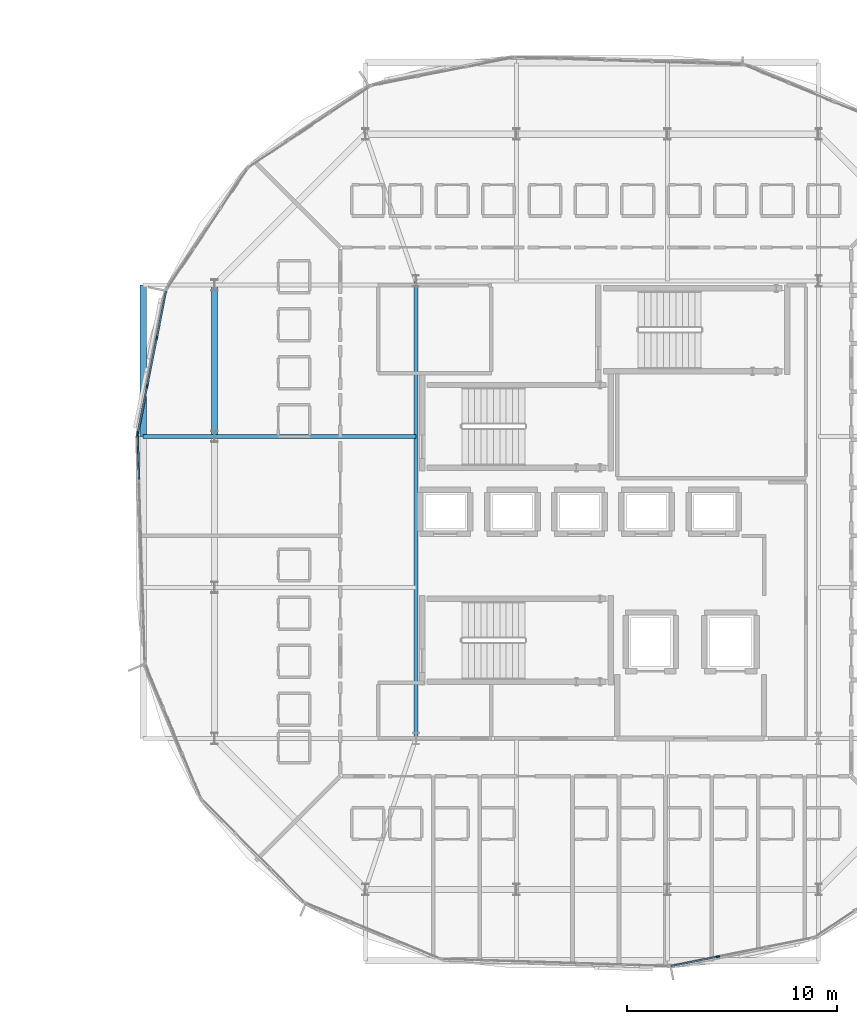
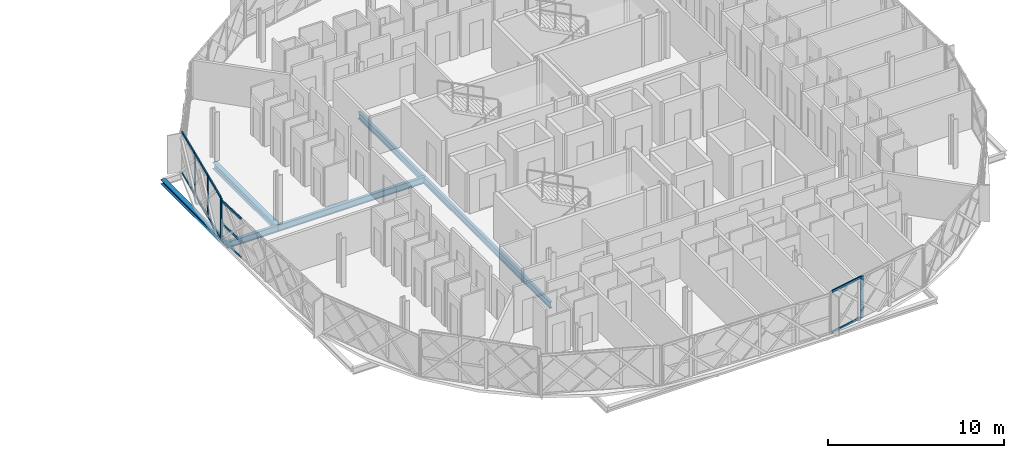
# One storey, part 8 of 50: 16 members, 5 beams, 3 elements without a shape of their own.
"""IFC4 building model written with IfcOpenShell, lengths in metres."""

from ifc_helpers import new_model, si_unit, direction, frame, origin, origin_2d, place, context, subcontext, project, spatial, rectangle, i_section, extrude, material, layer, layer_set, material_profile, profile_set, type_object, element, aggregate, save


model = new_model("IFC4")

# Units and contexts
model_context = context("Model", 3, precision=1e-05, world=origin(), true_north=direction((0.0, 1.0)))
body_context = subcontext(model_context, "Body", "Model", "MODEL_VIEW")
ifc_project = project(units=[si_unit("LENGTHUNIT", "METRE"), si_unit("AREAUNIT", "SQUARE_METRE"), si_unit("VOLUMEUNIT", "CUBIC_METRE"), si_unit("PLANEANGLEUNIT", "RADIAN"), si_unit("MASSUNIT", "GRAM", prefix="KILO")], contexts=[model_context])

# Site, building, storey
site_placement = place(None, origin())
site = spatial("IfcSite", under=ifc_project, at=site_placement, CompositionType="ELEMENT")
building_placement = place(site_placement, origin())
building = spatial("IfcBuilding", under=site, at=building_placement, Name="Zevrakil Square Congress Hotel", CompositionType="ELEMENT")
storey_placement = place(building_placement, frame((0.0, 0.0, 21.5)))
storey = spatial("IfcBuildingStorey", under=building, at=storey_placement, Name="L06", CompositionType="ELEMENT", Elevation=21.5)

# Beams
ifc_material_1 = material(Name="Steel S355", Category="steel")
ifc_material_profile_1 = material_profile(ifc_material_1, i_section(OverallWidth=0.300048828125, OverallDepth=0.43994140625, WebThickness=0.011474609375, FlangeThickness=0.02099609375, FilletRadius=0.027099609375, at=origin_2d()), Name="HEA 450")
ifc_profile_set_1 = profile_set([ifc_material_profile_1], Name="Steel S355")
beam_type_1 = type_object("IfcBeamType", Name="BM-HEA450", PredefinedType="BEAM", material=ifc_profile_set_1)
beam_1_placement = place(storey_placement, frame((127.199951171875, 38.39990234375, -0.409912109375), z_axis=(0.0, -1.0, 0.0), x_axis=(1.0, 0.0, 0.0)))
element("IfcBeam", 1, at=beam_1_placement, inside=storey, type_object=beam_type_1, Name="L06 drum ring girder DRB-13", PredefinedType="BEAM", context=body_context, shape_type="SweptSolid", body=[
    extrude(i_section(OverallWidth=0.300048828125, OverallDepth=0.43994140625, WebThickness=0.011474609375, FlangeThickness=0.02099609375, FilletRadius=0.027099609375, at=origin_2d()), origin(), (0.0, 0.0, 1.0), 7.199951171875),
])
ifc_material_2 = material(Name="Steel S355", Category="steel")
ifc_material_profile_2 = material_profile(ifc_material_2, i_section(OverallWidth=0.18994140625, OverallDepth=0.449951171875, WebThickness=0.009521484375, FlangeThickness=0.0146484375, FilletRadius=0.02099609375, at=origin_2d()), Name="IPE 450")
ifc_profile_set_2 = profile_set([ifc_material_profile_2], Name="Steel S355")
beam_type_2 = type_object("IfcBeamType", Name="BM-IPE450", PredefinedType="BEAM", material=ifc_profile_set_2)
beam_2_placement = place(storey_placement, frame((136.800048828125, 38.60009765625, -0.4150390625), z_axis=(0.0, -1.0, 0.0), x_axis=(1.0, 0.0, 0.0)))
element("IfcBeam", 2, at=beam_2_placement, inside=storey, type_object=beam_type_2, Name="L06 drum core perimeter tie beam DCB-04", PredefinedType="BEAM", context=body_context, shape_type="SweptSolid", body=[
    extrude(i_section(OverallWidth=0.18994140625, OverallDepth=0.449951171875, WebThickness=0.009521484375, FlangeThickness=0.0146484375, FilletRadius=0.02099609375, at=origin_2d()), origin(), (0.0, 0.0, 1.0), 21.800048828125),
])
beam_3_placement = place(storey_placement, frame((136.800048828125, 31.199951171875, -0.4150390625), z_axis=(-1.0, 0.0, 0.0), x_axis=(0.0, -1.0, 0.0)))
element("IfcBeam", 3, at=beam_3_placement, inside=storey, type_object=beam_type_2, Name="L06 drum radial floor beam DRI-14", PredefinedType="BEAM", context=body_context, shape_type="SweptSolid", body=[
    extrude(i_section(OverallWidth=0.18994140625, OverallDepth=0.449951171875, WebThickness=0.009521484375, FlangeThickness=0.0146484375, FilletRadius=0.02099609375, at=origin_2d()), origin(), (0.0, 0.0, 1.0), 9.60009765625),
])
beam_4_placement = place(storey_placement, frame((127.199951171875, 31.199951171875, -0.4150390625), z_axis=(-1.0, 0.0, 0.0), x_axis=(0.0, -1.0, 0.0)))
element("IfcBeam", 4, at=beam_4_placement, inside=storey, type_object=beam_type_2, Name="L06 drum radial edge cantilever beam DRO-14", PredefinedType="BEAM", context=body_context, shape_type="SweptSolid", body=[
    extrude(i_section(OverallWidth=0.18994140625, OverallDepth=0.449951171875, WebThickness=0.009521484375, FlangeThickness=0.0146484375, FilletRadius=0.02099609375, at=origin_2d()), origin(), (0.0, 0.0, 1.0), 3.39990234375),
])

# Curtain wall, members
ifc_material_3 = material(Name="Aluminium Anodised Bronze", Category="aluminium")
ifc_layer_1 = layer(ifc_material_3, 0.179931640625)
ifc_layer_set_1 = layer_set([ifc_layer_1], Name="Aluminium Anodised Bronze")
curtain_wall_type_1 = type_object("IfcCurtainWallType", Name="CW-L06-720", PredefinedType="USERDEFINED", material=ifc_layer_set_1)
curtain_wall_1_placement = place(storey_placement, origin())
curtain_wall_1 = element("IfcCurtainWall", 5, at=curtain_wall_1_placement, inside=storey, type_object=curtain_wall_type_1, Name="L06 diamond curtain wall CW-L06-0201", ObjectType="GLAZED CURTAIN WALL", PredefinedType="USERDEFINED")
ifc_material_4 = material(Name="Aluminium Anodised Bronze", Category="aluminium")
ifc_material_profile_3 = material_profile(ifc_material_4, rectangle(XDim=0.074951171875, YDim=0.14990234375, at=origin_2d()), Name="ALU 75x150")
ifc_profile_set_3 = profile_set([ifc_material_profile_3], Name="Aluminium Anodised Bronze")
member_type_1 = type_object("IfcMemberType", Name="CWM-ALU75x150", PredefinedType="USERDEFINED", material=ifc_profile_set_3)
member_1_placement = place(storey_placement, frame((148.9638671875, 5.95166015625, 0.030029296875), z_axis=(0.98078922397, 0.195070495322, 0.0), x_axis=(-0.195070495322, 0.98078922397, 0.0)))
member_1 = element("IfcMember", 6, at=member_1_placement, type_object=member_type_1, Name="CW-70 transom 1.1", ObjectType="TRANSOM", PredefinedType="USERDEFINED", context=body_context, shape_type="SweptSolid", body=[
    extrude(rectangle(XDim=0.074951171875, YDim=0.14990234375, at=origin_2d()), origin(), (0.0, 0.0, 1.0), 2.245361328125),
])
member_2_placement = place(storey_placement, frame((148.9638671875, 5.95166015625, 2.85009765625), z_axis=(0.98078922397, 0.195070495322, 0.0), x_axis=(-0.195070495322, 0.98078922397, 0.0)))
member_2 = element("IfcMember", 7, at=member_2_placement, type_object=member_type_1, Name="CW-70 transom 1.2", ObjectType="TRANSOM", PredefinedType="USERDEFINED", context=body_context, shape_type="SweptSolid", body=[
    extrude(rectangle(XDim=0.074951171875, YDim=0.14990234375, at=origin_2d()), origin(), (0.0, 0.0, 1.0), 2.245361328125),
])

curtain_wall_2_placement = place(storey_placement, origin())
curtain_wall_2 = element("IfcCurtainWall", 8, at=curtain_wall_2_placement, inside=storey, type_object=curtain_wall_type_1, Name="L06 diamond curtain wall CW-L06-0213", ObjectType="GLAZED CURTAIN WALL", PredefinedType="USERDEFINED")
member_3_placement = place(storey_placement, frame((124.89501953125, 38.1171875, 0.030029296875), z_axis=(-0.195070495322, -0.98078922397, 0.0), x_axis=(0.98078922397, -0.195070495322, 0.0)))
member_3 = element("IfcMember", 9, at=member_3_placement, type_object=member_type_1, Name="CW-70 transom 1.1", ObjectType="TRANSOM", PredefinedType="USERDEFINED", context=body_context, shape_type="SweptSolid", body=[
    extrude(rectangle(XDim=0.074951171875, YDim=0.14990234375, at=origin_2d()), origin(), (0.0, 0.0, 1.0), 2.245361328125),
])
member_4_placement = place(storey_placement, frame((124.89501953125, 38.1171875, 2.85009765625), z_axis=(-0.195070495322, -0.98078922397, 0.0), x_axis=(0.98078922397, -0.195070495322, 0.0)))
member_4 = element("IfcMember", 10, at=member_4_placement, type_object=member_type_1, Name="CW-70 transom 1.2", ObjectType="TRANSOM", PredefinedType="USERDEFINED", context=body_context, shape_type="SweptSolid", body=[
    extrude(rectangle(XDim=0.074951171875, YDim=0.14990234375, at=origin_2d()), origin(), (0.0, 0.0, 1.0), 2.245361328125),
])
member_5_placement = place(storey_placement, frame((124.4453125, 35.856201171875, 0.030029296875), z_axis=(-0.195084227953, -0.980786492568, 0.0), x_axis=(0.980786492568, -0.195084227953, 0.0)))
member_5 = element("IfcMember", 11, at=member_5_placement, type_object=member_type_1, Name="CW-70 transom 2.1", ObjectType="TRANSOM", PredefinedType="USERDEFINED", context=body_context, shape_type="SweptSolid", body=[
    extrude(rectangle(XDim=0.074951171875, YDim=0.14990234375, at=origin_2d()), origin(), (0.0, 0.0, 1.0), 2.275146484375),
])
member_6_placement = place(storey_placement, frame((124.4453125, 35.856201171875, 2.85009765625), z_axis=(-0.195084227953, -0.980786492568, 0.0), x_axis=(0.980786492568, -0.195084227953, 0.0)))
member_6 = element("IfcMember", 12, at=member_6_placement, type_object=member_type_1, Name="CW-70 transom 2.2", ObjectType="TRANSOM", PredefinedType="USERDEFINED", context=body_context, shape_type="SweptSolid", body=[
    extrude(rectangle(XDim=0.074951171875, YDim=0.14990234375, at=origin_2d()), origin(), (0.0, 0.0, 1.0), 2.275146484375),
])
member_7_placement = place(storey_placement, frame((123.98974609375, 33.56591796875, 0.030029296875), z_axis=(-0.195070495322, -0.98078922397, 0.0), x_axis=(0.98078922397, -0.195070495322, 0.0)))
member_7 = element("IfcMember", 13, at=member_7_placement, type_object=member_type_1, Name="CW-70 transom 3.1", ObjectType="TRANSOM", PredefinedType="USERDEFINED", context=body_context, shape_type="SweptSolid", body=[
    extrude(rectangle(XDim=0.074951171875, YDim=0.14990234375, at=origin_2d()), origin(), (0.0, 0.0, 1.0), 2.245361328125),
])
member_8_placement = place(storey_placement, frame((123.98974609375, 33.56591796875, 2.85009765625), z_axis=(-0.195070495322, -0.98078922397, 0.0), x_axis=(0.98078922397, -0.195070495322, 0.0)))
member_8 = element("IfcMember", 14, at=member_8_placement, type_object=member_type_1, Name="CW-70 transom 3.2", ObjectType="TRANSOM", PredefinedType="USERDEFINED", context=body_context, shape_type="SweptSolid", body=[
    extrude(rectangle(XDim=0.074951171875, YDim=0.14990234375, at=origin_2d()), origin(), (0.0, 0.0, 1.0), 2.245361328125),
])

ifc_material_5 = material(Name="Aluminium Anodised Bronze", Category="aluminium")
ifc_layer_2 = layer(ifc_material_5, 0.179931640625)
ifc_layer_set_2 = layer_set([ifc_layer_2], Name="Aluminium Anodised Bronze")
curtain_wall_type_2 = type_object("IfcCurtainWallType", Name="CW-L06-900", PredefinedType="USERDEFINED", material=ifc_layer_set_2)
curtain_wall_3_placement = place(storey_placement, origin())
curtain_wall_3 = element("IfcCurtainWall", 15, at=curtain_wall_3_placement, inside=storey, type_object=curtain_wall_type_2, Name="L06 diamond curtain wall CW-L06-0214", ObjectType="GLAZED CURTAIN WALL", PredefinedType="USERDEFINED")
member_9_placement = place(storey_placement, frame((123.5419921875, 31.2451171875, 0.030029296875), z_axis=(0.031598771798, -0.999500634127, 0.0), x_axis=(0.999500634127, 0.031598771798, 0.0)))
member_9 = element("IfcMember", 16, at=member_9_placement, type_object=member_type_1, Name="CW-72 transom 1.1", ObjectType="TRANSOM", PredefinedType="USERDEFINED", context=body_context, shape_type="SweptSolid", body=[
    extrude(rectangle(XDim=0.074951171875, YDim=0.14990234375, at=origin_2d()), origin(), (0.0, 0.0, 1.0), 2.09375),
])
member_10_placement = place(storey_placement, frame((123.5419921875, 31.2451171875, 1.146484375), z_axis=(0.031598771798, -0.999500634127, 0.0), x_axis=(0.999500634127, 0.031598771798, 0.0)))
member_10 = element("IfcMember", 17, at=member_10_placement, type_object=member_type_1, Name="CW-72 transom 1.2", ObjectType="TRANSOM", PredefinedType="USERDEFINED", context=body_context, shape_type="SweptSolid", body=[
    extrude(rectangle(XDim=0.074951171875, YDim=0.14990234375, at=origin_2d()), origin(), (0.0, 0.0, 1.0), 2.09375),
])
member_11_placement = place(storey_placement, frame((123.5419921875, 31.2451171875, 2.699951171875), z_axis=(0.031598771798, -0.999500634127, 0.0), x_axis=(0.999500634127, 0.031598771798, 0.0)))
member_11 = element("IfcMember", 18, at=member_11_placement, type_object=member_type_1, Name="CW-72 transom 1.3", ObjectType="TRANSOM", PredefinedType="USERDEFINED", context=body_context, shape_type="SweptSolid", body=[
    extrude(rectangle(XDim=0.074951171875, YDim=0.14990234375, at=origin_2d()), origin(), (0.0, 0.0, 1.0), 2.09375),
])

# Member
ifc_material_6 = material(Name="Aluminium Anodised Bronze", Category="aluminium")
ifc_material_profile_4 = material_profile(ifc_material_6, rectangle(XDim=0.074951171875, YDim=0.179931640625, at=origin_2d()), Name="ALU 75x180")
ifc_profile_set_4 = profile_set([ifc_material_profile_4], Name="Aluminium Anodised Bronze")
member_type_2 = type_object("IfcMemberType", Name="CWM-ALU75x180", PredefinedType="MULLION", material=ifc_profile_set_4)
member_12_placement = place(storey_placement, frame((151.1953125, 6.3955078125, 0.0), z_axis=(0.0, 0.0, 1.0), x_axis=(-0.195083900459, 0.980786557708, 0.0)))
member_12 = element("IfcMember", 19, at=member_12_placement, type_object=member_type_2, Name="CW-70 mullion 2", PredefinedType="MULLION", context=body_context, shape_type="SweptSolid", body=[
    extrude(rectangle(XDim=0.074951171875, YDim=0.179931640625, at=origin_2d()), origin(), (0.0, 0.0, 1.0), 2.8798828125),
])

aggregate(curtain_wall_1, [member_12, member_1, member_2])

member_13_placement = place(storey_placement, frame((124.451171875, 35.8857421875, 0.0), z_axis=(0.0, 0.0, 1.0), x_axis=(0.980786557708, -0.195083900459, 0.0)))
member_13 = element("IfcMember", 20, at=member_13_placement, type_object=member_type_2, Name="CW-70 mullion 2", PredefinedType="MULLION", context=body_context, shape_type="SweptSolid", body=[
    extrude(rectangle(XDim=0.074951171875, YDim=0.179931640625, at=origin_2d()), origin(), (0.0, 0.0, 1.0), 2.8798828125),
])

member_14_placement = place(storey_placement, frame((123.99560546875, 33.595458984375, 0.0), z_axis=(0.0, 0.0, 1.0), x_axis=(0.980786557708, -0.195083900459, 0.0)))
member_14 = element("IfcMember", 21, at=member_14_placement, type_object=member_type_2, Name="CW-70 mullion 3", PredefinedType="MULLION", context=body_context, shape_type="SweptSolid", body=[
    extrude(rectangle(XDim=0.074951171875, YDim=0.179931640625, at=origin_2d()), origin(), (0.0, 0.0, 1.0), 2.8798828125),
])

member_15_placement = place(storey_placement, frame((123.5458984375, 31.33447265625, 0.0), z_axis=(0.0, 0.0, 1.0), x_axis=(0.980786557708, -0.195083900459, 0.0)))
member_15 = element("IfcMember", 22, at=member_15_placement, type_object=member_type_2, Name="CW-70 mullion 4", PredefinedType="MULLION", context=body_context, shape_type="SweptSolid", body=[
    extrude(rectangle(XDim=0.074951171875, YDim=0.179931640625, at=origin_2d()), origin(), (0.0, 0.0, 1.0), 2.8798828125),
])

aggregate(curtain_wall_2, [member_13, member_14, member_15, member_3, member_4, member_5, member_6, member_7, member_8])

member_16_placement = place(storey_placement, frame((123.541015625, 31.27490234375, 0.0), z_axis=(0.0, 0.0, 1.0), x_axis=(0.999500643846, 0.031598464383, 0.0)))
member_16 = element("IfcMember", 23, at=member_16_placement, type_object=member_type_2, Name="CW-72 mullion 1", PredefinedType="MULLION", context=body_context, shape_type="SweptSolid", body=[
    extrude(rectangle(XDim=0.074951171875, YDim=0.179931640625, at=origin_2d()), origin(), (0.0, 0.0, 1.0), 2.72998046875),
])

aggregate(curtain_wall_3, [member_16, member_9, member_10, member_11])

# Beam
ifc_material_7 = material(Name="Steel S355", Category="steel")
ifc_material_profile_5 = material_profile(ifc_material_7, i_section(OverallWidth=0.300048828125, OverallDepth=0.300048828125, WebThickness=0.010986328125, FlangeThickness=0.01904296875, FilletRadius=0.027099609375, at=origin_2d()), Name="HEB 300")
ifc_profile_set_5 = profile_set([ifc_material_profile_5], Name="Steel S355")
beam_type_3 = type_object("IfcBeamType", Name="SPD-RHS250", PredefinedType="SPANDREL", material=ifc_profile_set_5)
beam_5_placement = place(storey_placement, frame((123.800048828125, 38.39990234375, -0.340087890625), z_axis=(0.0, -1.0, 0.0), x_axis=(1.0, 0.0, 0.0)))
element("IfcBeam", 24, at=beam_5_placement, inside=storey, type_object=beam_type_3, Name="L06 drum edge spandrel beam DSP-12", PredefinedType="SPANDREL", context=body_context, shape_type="SweptSolid", body=[
    extrude(i_section(OverallWidth=0.300048828125, OverallDepth=0.300048828125, WebThickness=0.010986328125, FlangeThickness=0.01904296875, FilletRadius=0.027099609375, at=origin_2d()), origin(), (0.0, 0.0, 1.0), 7.199951171875),
])

save(model, "model.ifc")
